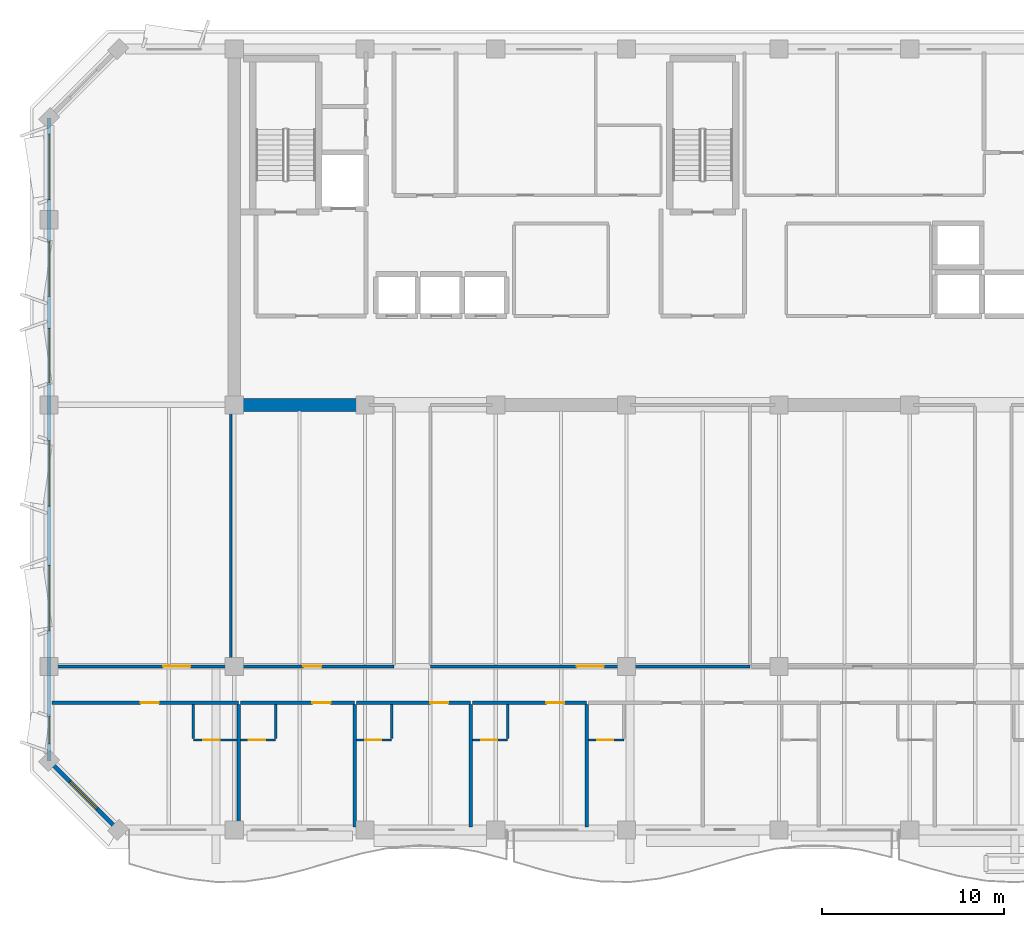
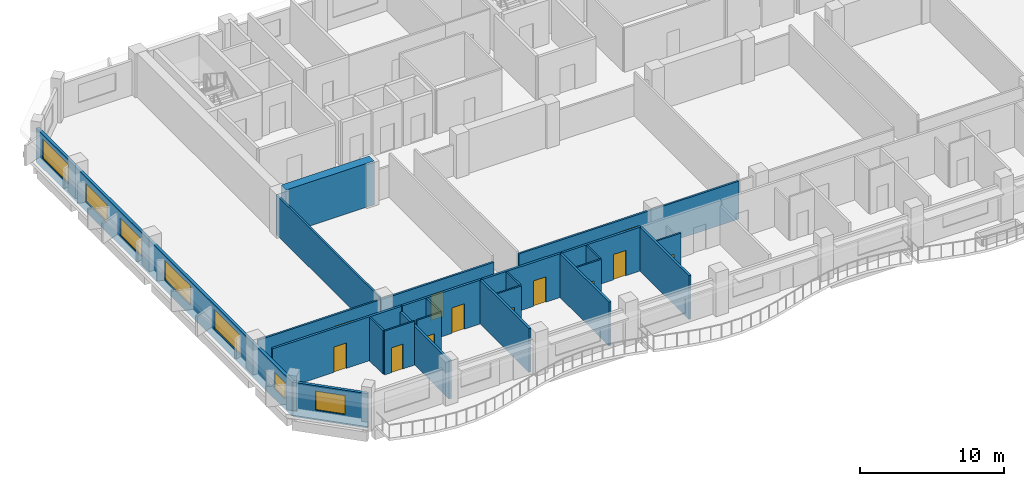
# One storey, part 3 of 11: 24 walls, 12 doors, 7 windows, 19 openings.
"""IFC4 building model written with IfcOpenShell, lengths in metres."""

from ifc_helpers import new_model, si_unit, direction, frame, frame_2d, origin, place, context, subcontext, project, spatial, rectangle, extrude, material, layer, layer_set, type_object, element, fill, save


model = new_model("IFC4")

# Units and contexts
model_context = context("Model", 3, precision=1e-05, world=origin(), true_north=direction((0.0, 1.0)))
body_context = subcontext(model_context, "Body", "Model", "MODEL_VIEW")
ifc_project = project(units=[si_unit("LENGTHUNIT", "METRE"), si_unit("AREAUNIT", "SQUARE_METRE"), si_unit("VOLUMEUNIT", "CUBIC_METRE"), si_unit("PLANEANGLEUNIT", "RADIAN"), si_unit("MASSUNIT", "GRAM", prefix="KILO")], contexts=[model_context])

# Site, building, storey
site_placement = place(None, origin())
site = spatial("IfcSite", under=ifc_project, at=site_placement, CompositionType="ELEMENT")
building_placement = place(site_placement, origin())
building = spatial("IfcBuilding", under=site, at=building_placement, Name="Kaelvorn Grand Hotel", CompositionType="ELEMENT")
storey_placement = place(building_placement, frame((0.0, 0.0, 233.10009765625)))
storey = spatial("IfcBuildingStorey", under=building, at=storey_placement, Name="L57", CompositionType="ELEMENT", Elevation=233.10009765625)

# Wall
ifc_material_1 = material(Name="Concrete C50/60", Category="concrete")
ifc_layer_1 = layer(ifc_material_1, 0.699951171875)
ifc_layer_set_1 = layer_set([ifc_layer_1], Name="Concrete C50/60")
wall_type_1 = type_object("IfcWallType", Name="WL-CORE-700-C50", PredefinedType="SHEAR", material=ifc_layer_set_1)
wall_1_placement = place(storey_placement, frame((16.554931640625, 29.39990234375, 0.0), z_axis=(0.0, 0.0, 1.0), x_axis=(1.0, 0.0, 0.0)))
element("IfcWall", 1, at=wall_1_placement, inside=storey, type_object=wall_type_1, Name="L57 Rear-Core Coupled Shear Pier S1", PredefinedType="SHEAR", context=body_context, shape_type="SweptSolid", body=[
    extrude(rectangle(XDim=7.045166015625, YDim=0.699951171875, at=frame_2d((3.5224609375, 0.0))), origin(), (0.0, 0.0, 1.0), 3.7099609375),
])

# Wall, openings, windows
ifc_material_2 = material(Name="Concrete C40/50", Category="concrete")
ifc_layer_2 = layer(ifc_material_2, 0.219970703125)
ifc_layer_set_2 = layer_set([ifc_layer_2], Name="Concrete C40/50")
wall_type_2 = type_object("IfcWallType", Name="WL-EXT-220-C40", PredefinedType="SOLIDWALL", material=ifc_layer_set_2)
wall_2_placement = place(storey_placement, frame((6.0, 45.199951171875, 0.0), z_axis=(0.0, 0.0, 1.0), x_axis=(0.0, -1.0, 0.0)))
wall_2 = element("IfcWall", 2, at=wall_2_placement, inside=storey, type_object=wall_type_2, Name="L57 Exterior Architectural Concrete Wall 07", PredefinedType="SOLIDWALL", context=body_context, shape_type="SweptSolid", body=[
    extrude(rectangle(XDim=35.39990234375, YDim=0.219970703125, at=frame_2d((17.699951171875, 0.0))), origin(), (0.0, 0.0, 1.0), 2.909912109375),
])
opening_1_placement = place(wall_2_placement, frame((32.965087890625, 0.0, 0.85009765625)))
opening_1 = element("IfcOpeningElement", 3, at=opening_1_placement, cuts=wall_2, Name="Opening W10", PredefinedType="OPENING", context=body_context, shape_type="SweptSolid", body=[
    extrude(rectangle(XDim=1.5, YDim=1.39990234375, at=frame_2d((0.75, 0.699951171875))), frame((0.0, 0.1201171875, 0.0), z_axis=(0.0, -1.0, 0.0), x_axis=(1.0, 0.0, 0.0)), (0.0, 0.0, 1.0), 0.239990234375),
])
opening_2_placement = place(wall_2_placement, frame((24.635009765625, 0.0, 0.85009765625)))
opening_2 = element("IfcOpeningElement", 4, at=opening_2_placement, cuts=wall_2, Name="Opening W3", PredefinedType="OPENING", context=body_context, shape_type="SweptSolid", body=[
    extrude(rectangle(XDim=3.60009765625, YDim=1.64990234375, at=frame_2d((1.800048828125, 0.824951171875))), frame((0.0, 0.1201171875, 0.0), z_axis=(0.0, -1.0, 0.0), x_axis=(1.0, 0.0, 0.0)), (0.0, 0.0, 1.0), 0.239990234375),
])
opening_3_placement = place(wall_2_placement, frame((17.764892578125, 0.0, 0.85009765625)))
opening_3 = element("IfcOpeningElement", 5, at=opening_3_placement, cuts=wall_2, Name="Opening W3", PredefinedType="OPENING", context=body_context, shape_type="SweptSolid", body=[
    extrude(rectangle(XDim=3.60009765625, YDim=1.64990234375, at=frame_2d((1.800048828125, 0.824951171875))), frame((0.0, 0.1201171875, 0.0), z_axis=(0.0, -1.0, 0.0), x_axis=(1.0, 0.0, 0.0)), (0.0, 0.0, 1.0), 0.239990234375),
])
opening_4_placement = place(wall_2_placement, frame((11.5849609375, 0.0, 0.85009765625)))
opening_4 = element("IfcOpeningElement", 6, at=opening_4_placement, cuts=wall_2, Name="Opening W5", PredefinedType="OPENING", context=body_context, shape_type="SweptSolid", body=[
    extrude(rectangle(XDim=3.0, YDim=1.5, at=frame_2d((1.5, 0.75))), frame((0.0, 0.1201171875, 0.0), z_axis=(0.0, -1.0, 0.0), x_axis=(1.0, 0.0, 0.0)), (0.0, 0.0, 1.0), 0.239990234375),
])
opening_5_placement = place(wall_2_placement, frame((6.81494140625, 0.0, 0.85009765625)))
opening_5 = element("IfcOpeningElement", 7, at=opening_5_placement, cuts=wall_2, Name="Opening W5", PredefinedType="OPENING", context=body_context, shape_type="SweptSolid", body=[
    extrude(rectangle(XDim=3.0, YDim=1.5, at=frame_2d((1.5, 0.75))), frame((0.0, 0.1201171875, 0.0), z_axis=(0.0, -1.0, 0.0), x_axis=(1.0, 0.0, 0.0)), (0.0, 0.0, 1.0), 0.239990234375),
])
opening_6_placement = place(wall_2_placement, frame((0.885009765625, 0.0, 0.85009765625)))
opening_6 = element("IfcOpeningElement", 8, at=opening_6_placement, cuts=wall_2, Name="Opening W3", PredefinedType="OPENING", context=body_context, shape_type="SweptSolid", body=[
    extrude(rectangle(XDim=3.60009765625, YDim=1.64990234375, at=frame_2d((1.800048828125, 0.824951171875))), frame((0.0, 0.1201171875, 0.0), z_axis=(0.0, -1.0, 0.0), x_axis=(1.0, 0.0, 0.0)), (0.0, 0.0, 1.0), 0.239990234375),
])
ifc_material_3 = material(Name="Laminated Low-E Glass", Category="glass")
window_type_1 = type_object("IfcWindowType", Name="WIN-COR-1500x1400", PartitioningType="SINGLE_PANEL", PredefinedType="WINDOW", material=ifc_material_3)
window_1_placement = place(opening_1_placement, origin())
window_1 = element("IfcWindow", 9, at=window_1_placement, inside=storey, type_object=window_type_1, Name="L57 W Wing Tilted-Frame Ribbon Window W01", OverallHeight=1.39990234375, OverallWidth=1.5, PartitioningType="SINGLE_PANEL", PredefinedType="WINDOW", context=body_context, shape_type="SweptSolid", body=[
    extrude(rectangle(XDim=1.5, YDim=1.39990234375, at=frame_2d((0.75, 0.699951171875))), frame((0.0, 0.030029296875, 0.0), z_axis=(0.0, -1.0, 0.0), x_axis=(1.0, 0.0, 0.0)), (0.0, 0.0, 1.0), 0.06005859375),
])
fill(opening_1, window_1)
window_type_2 = type_object("IfcWindowType", Name="WIN-NTH-3000x1500", PartitioningType="SINGLE_PANEL", PredefinedType="WINDOW", material=ifc_material_3)
window_2_placement = place(opening_4_placement, origin())
window_2 = element("IfcWindow", 10, at=window_2_placement, inside=storey, type_object=window_type_2, Name="L57 W Wing Tilted-Frame Ribbon Window W04", OverallHeight=1.5, OverallWidth=3.0, PartitioningType="SINGLE_PANEL", PredefinedType="WINDOW", context=body_context, shape_type="SweptSolid", body=[
    extrude(rectangle(XDim=3.0, YDim=1.5, at=frame_2d((1.5, 0.75))), frame((0.0, 0.030029296875, 0.0), z_axis=(0.0, -1.0, 0.0), x_axis=(1.0, 0.0, 0.0)), (0.0, 0.0, 1.0), 0.06005859375),
])
fill(opening_4, window_2)
window_3_placement = place(opening_5_placement, origin())
window_3 = element("IfcWindow", 11, at=window_3_placement, inside=storey, type_object=window_type_2, Name="L57 W Wing Tilted-Frame Ribbon Window W05", OverallHeight=1.5, OverallWidth=3.0, PartitioningType="SINGLE_PANEL", PredefinedType="WINDOW", context=body_context, shape_type="SweptSolid", body=[
    extrude(rectangle(XDim=3.0, YDim=1.5, at=frame_2d((1.5, 0.75))), frame((0.0, 0.030029296875, 0.0), z_axis=(0.0, -1.0, 0.0), x_axis=(1.0, 0.0, 0.0)), (0.0, 0.0, 1.0), 0.06005859375),
])
fill(opening_5, window_3)
window_type_3 = type_object("IfcWindowType", Name="WIN-RIB-3600x1750", PartitioningType="SINGLE_PANEL", PredefinedType="WINDOW", material=ifc_material_3)
window_4_placement = place(opening_2_placement, origin())
window_4 = element("IfcWindow", 12, at=window_4_placement, inside=storey, type_object=window_type_3, Name="L57 W Wing Tilted-Frame Ribbon Window W02", OverallHeight=1.64990234375, OverallWidth=3.60009765625, PartitioningType="SINGLE_PANEL", PredefinedType="WINDOW", context=body_context, shape_type="SweptSolid", body=[
    extrude(rectangle(XDim=3.60009765625, YDim=1.64990234375, at=frame_2d((1.800048828125, 0.824951171875))), frame((0.0, 0.030029296875, 0.0), z_axis=(0.0, -1.0, 0.0), x_axis=(1.0, 0.0, 0.0)), (0.0, 0.0, 1.0), 0.06005859375),
])
fill(opening_2, window_4)
window_5_placement = place(opening_3_placement, origin())
window_5 = element("IfcWindow", 13, at=window_5_placement, inside=storey, type_object=window_type_3, Name="L57 W Wing Tilted-Frame Ribbon Window W03", OverallHeight=1.64990234375, OverallWidth=3.60009765625, PartitioningType="SINGLE_PANEL", PredefinedType="WINDOW", context=body_context, shape_type="SweptSolid", body=[
    extrude(rectangle(XDim=3.60009765625, YDim=1.64990234375, at=frame_2d((1.800048828125, 0.824951171875))), frame((0.0, 0.030029296875, 0.0), z_axis=(0.0, -1.0, 0.0), x_axis=(1.0, 0.0, 0.0)), (0.0, 0.0, 1.0), 0.06005859375),
])
fill(opening_3, window_5)
window_6_placement = place(opening_6_placement, origin())
window_6 = element("IfcWindow", 14, at=window_6_placement, inside=storey, type_object=window_type_3, Name="L57 W Wing Tilted-Frame Ribbon Window W06", OverallHeight=1.64990234375, OverallWidth=3.60009765625, PartitioningType="SINGLE_PANEL", PredefinedType="WINDOW", context=body_context, shape_type="SweptSolid", body=[
    extrude(rectangle(XDim=3.60009765625, YDim=1.64990234375, at=frame_2d((1.800048828125, 0.824951171875))), frame((0.0, 0.030029296875, 0.0), z_axis=(0.0, -1.0, 0.0), x_axis=(1.0, 0.0, 0.0)), (0.0, 0.0, 1.0), 0.06005859375),
])
fill(opening_6, window_6)

# Wall, opening, window
wall_3_placement = place(storey_placement, frame((6.0, 9.800048828125, 0.0), z_axis=(0.0, 0.0, 1.0), x_axis=(0.707106781187, -0.707106781187, 0.0)))
wall_3 = element("IfcWall", 15, at=wall_3_placement, inside=storey, type_object=wall_type_2, Name="L57 Exterior Architectural Concrete Wall 08", PredefinedType="SOLIDWALL", context=body_context, shape_type="SweptSolid", body=[
    extrude(rectangle(XDim=5.3740234375, YDim=0.219970703125, at=frame_2d((2.68701171875, 0.0))), origin(), (0.0, 0.0, 1.0), 2.909912109375),
])
opening_7_placement = place(wall_3_placement, frame((1.636962890625, 0.0, 0.85009765625)))
opening_7 = element("IfcOpeningElement", 16, at=opening_7_placement, cuts=wall_3, Name="Opening W7", PredefinedType="OPENING", context=body_context, shape_type="SweptSolid", body=[
    extrude(rectangle(XDim=2.10009765625, YDim=1.60009765625, at=frame_2d((1.050048828125, 0.800048828125))), frame((0.0, 0.1201171875, 0.0), z_axis=(0.0, -1.0, 0.0), x_axis=(1.0, 0.0, 0.0)), (0.0, 0.0, 1.0), 0.239990234375),
])
window_type_4 = type_object("IfcWindowType", Name="WIN-CHM-2100x1600", PartitioningType="SINGLE_PANEL", PredefinedType="WINDOW", material=ifc_material_3)
window_7_placement = place(opening_7_placement, origin())
window_7 = element("IfcWindow", 17, at=window_7_placement, inside=storey, type_object=window_type_4, Name="L57 Chamfered 45-Degree Corner Window SW", OverallHeight=1.60009765625, OverallWidth=2.10009765625, PartitioningType="SINGLE_PANEL", PredefinedType="WINDOW", context=body_context, shape_type="SweptSolid", body=[
    extrude(rectangle(XDim=2.10009765625, YDim=1.60009765625, at=frame_2d((1.050048828125, 0.800048828125))), frame((0.0, 0.030029296875, 0.0), z_axis=(0.0, -1.0, 0.0), x_axis=(1.0, 0.0, 0.0)), (0.0, 0.0, 1.0), 0.06005859375),
])
fill(opening_7, window_7)

# Wall, opening, door
ifc_material_4 = material(Name="Moisture-Resistant Tile & Stud Board")
ifc_layer_3 = layer(ifc_material_4, 0.125)
ifc_layer_set_3 = layer_set([ifc_layer_3], Name="Moisture-Resistant Tile & Stud Board")
wall_type_3 = type_object("IfcWallType", Name="WL-PART-125-WET", PredefinedType="PARTITIONING", material=ifc_layer_set_3)
wall_4_placement = place(storey_placement, frame((13.93994140625, 10.949951171875, 0.0), z_axis=(0.0, 0.0, 1.0), x_axis=(1.0, 0.0, 0.0)))
wall_4 = element("IfcWall", 18, at=wall_4_placement, inside=storey, type_object=wall_type_3, Name="L57 En-suite Bathroom L57-01 S Partition", PredefinedType="PARTITIONING", context=body_context, shape_type="SweptSolid", body=[
    extrude(rectangle(XDim=2.405029296875, YDim=0.125, at=frame_2d((1.20263671875, 0.0))), origin(), (0.0, 0.0, 1.0), 3.7099609375),
])
opening_8_placement = place(wall_4_placement, frame((0.550048828125, 0.0, 0.0)))
opening_8 = element("IfcOpeningElement", 19, at=opening_8_placement, cuts=wall_4, Name="Opening DI4", PredefinedType="OPENING", context=body_context, shape_type="SweptSolid", body=[
    extrude(rectangle(XDim=0.89990234375, YDim=2.10009765625, at=frame_2d((0.449951171875, 1.050048828125))), frame((0.0, 0.072509765625, 0.0), z_axis=(0.0, -1.0, 0.0), x_axis=(1.0, 0.0, 0.0)), (0.0, 0.0, 1.0), 0.14501953125),
])
ifc_material_5 = material(Name="Timber Veneer Leaf", Category="wood")
door_type_1 = type_object("IfcDoorType", Name="DR-INT-BATH-900x2100", OperationType="NOTDEFINED", PredefinedType="DOOR", material=ifc_material_5)
door_1_placement = place(opening_8_placement, origin())
door_1 = element("IfcDoor", 20, at=door_1_placement, inside=storey, type_object=door_type_1, Name="L57 En-suite Bathroom L57-01 Door", OperationType="SINGLE_SWING_RIGHT", OverallHeight=2.10009765625, OverallWidth=0.89990234375, PredefinedType="DOOR", context=body_context, shape_type="SweptSolid", body=[
    extrude(rectangle(XDim=0.89990234375, YDim=2.10009765625, at=frame_2d((0.449951171875, 1.050048828125))), frame((0.0, 0.02490234375, 0.0), z_axis=(0.0, -1.0, 0.0), x_axis=(1.0, 0.0, 0.0)), (0.0, 0.0, 1.0), 0.050048828125),
])
fill(opening_8, door_1)

# Wall
wall_5_placement = place(storey_placement, frame((13.93994140625, 11.017578125, 0.0), z_axis=(0.0, 0.0, 1.0), x_axis=(0.0, 1.0, 0.0)))
element("IfcWall", 21, at=wall_5_placement, inside=storey, type_object=wall_type_3, Name="L57 En-suite Bathroom L57-01 W Partition", PredefinedType="PARTITIONING", context=body_context, shape_type="SweptSolid", body=[
    extrude(rectangle(XDim=1.887451171875, YDim=0.125, at=frame_2d((0.94384765625, 0.0))), origin(), (0.0, 0.0, 1.0), 3.7099609375),
])

# Wall, opening, door
wall_6_placement = place(storey_placement, frame((16.534912109375, 10.949951171875, 0.0), z_axis=(0.0, 0.0, 1.0), x_axis=(1.0, 0.0, 0.0)))
wall_6 = element("IfcWall", 22, at=wall_6_placement, inside=storey, type_object=wall_type_3, Name="L57 En-suite Bathroom L57-02 S Partition", PredefinedType="PARTITIONING", context=body_context, shape_type="SweptSolid", body=[
    extrude(rectangle(XDim=1.945068359375, YDim=0.125, at=frame_2d((0.97265625, 0.0))), origin(), (0.0, 0.0, 1.0), 3.7099609375),
])
opening_9_placement = place(wall_6_placement, frame((0.47509765625, 0.0, 0.0)))
opening_9 = element("IfcOpeningElement", 23, at=opening_9_placement, cuts=wall_6, Name="Opening DI4", PredefinedType="OPENING", context=body_context, shape_type="SweptSolid", body=[
    extrude(rectangle(XDim=0.89990234375, YDim=2.10009765625, at=frame_2d((0.449951171875, 1.050048828125))), frame((0.0, 0.072509765625, 0.0), z_axis=(0.0, -1.0, 0.0), x_axis=(1.0, 0.0, 0.0)), (0.0, 0.0, 1.0), 0.14501953125),
])
door_2_placement = place(opening_9_placement, origin())
door_2 = element("IfcDoor", 24, at=door_2_placement, inside=storey, type_object=door_type_1, Name="L57 En-suite Bathroom L57-02 Door", OperationType="SINGLE_SWING_RIGHT", OverallHeight=2.10009765625, OverallWidth=0.89990234375, PredefinedType="DOOR", context=body_context, shape_type="SweptSolid", body=[
    extrude(rectangle(XDim=0.89990234375, YDim=2.10009765625, at=frame_2d((0.449951171875, 1.050048828125))), frame((0.0, 0.02490234375, 0.0), z_axis=(0.0, -1.0, 0.0), x_axis=(1.0, 0.0, 0.0)), (0.0, 0.0, 1.0), 0.050048828125),
])
fill(opening_9, door_2)

# Wall
wall_7_placement = place(storey_placement, frame((18.47998046875, 11.017578125, 0.0), z_axis=(0.0, 0.0, 1.0), x_axis=(0.0, 1.0, 0.0)))
element("IfcWall", 25, at=wall_7_placement, inside=storey, type_object=wall_type_3, Name="L57 En-suite Bathroom L57-02 E Partition", PredefinedType="PARTITIONING", context=body_context, shape_type="SweptSolid", body=[
    extrude(rectangle(XDim=1.887451171875, YDim=0.125, at=frame_2d((0.94384765625, 0.0))), origin(), (0.0, 0.0, 1.0), 3.7099609375),
])

# Wall, opening, door
wall_8_placement = place(storey_placement, frame((22.925048828125, 10.949951171875, 0.0), z_axis=(0.0, 0.0, 1.0), x_axis=(1.0, 0.0, 0.0)))
wall_8 = element("IfcWall", 26, at=wall_8_placement, inside=storey, type_object=wall_type_3, Name="L57 En-suite Bathroom L57-03 S Partition", PredefinedType="PARTITIONING", context=body_context, shape_type="SweptSolid", body=[
    extrude(rectangle(XDim=1.945068359375, YDim=0.125, at=frame_2d((0.97265625, 0.0))), origin(), (0.0, 0.0, 1.0), 3.7099609375),
])
opening_10_placement = place(wall_8_placement, frame((0.47509765625, 0.0, 0.0)))
opening_10 = element("IfcOpeningElement", 27, at=opening_10_placement, cuts=wall_8, Name="Opening DI4", PredefinedType="OPENING", context=body_context, shape_type="SweptSolid", body=[
    extrude(rectangle(XDim=0.89990234375, YDim=2.10009765625, at=frame_2d((0.449951171875, 1.050048828125))), frame((0.0, 0.072509765625, 0.0), z_axis=(0.0, -1.0, 0.0), x_axis=(1.0, 0.0, 0.0)), (0.0, 0.0, 1.0), 0.14501953125),
])
door_3_placement = place(opening_10_placement, origin())
door_3 = element("IfcDoor", 28, at=door_3_placement, inside=storey, type_object=door_type_1, Name="L57 En-suite Bathroom L57-03 Door", OperationType="SINGLE_SWING_RIGHT", OverallHeight=2.10009765625, OverallWidth=0.89990234375, PredefinedType="DOOR", context=body_context, shape_type="SweptSolid", body=[
    extrude(rectangle(XDim=0.89990234375, YDim=2.10009765625, at=frame_2d((0.449951171875, 1.050048828125))), frame((0.0, 0.02490234375, 0.0), z_axis=(0.0, -1.0, 0.0), x_axis=(1.0, 0.0, 0.0)), (0.0, 0.0, 1.0), 0.050048828125),
])
fill(opening_10, door_3)

# Wall
wall_9_placement = place(storey_placement, frame((24.8701171875, 11.017578125, 0.0), z_axis=(0.0, 0.0, 1.0), x_axis=(0.0, 1.0, 0.0)))
element("IfcWall", 29, at=wall_9_placement, inside=storey, type_object=wall_type_3, Name="L57 En-suite Bathroom L57-03 E Partition", PredefinedType="PARTITIONING", context=body_context, shape_type="SweptSolid", body=[
    extrude(rectangle(XDim=1.887451171875, YDim=0.125, at=frame_2d((0.94384765625, 0.0))), origin(), (0.0, 0.0, 1.0), 3.7099609375),
])

# Wall, opening, door
wall_10_placement = place(storey_placement, frame((29.31494140625, 10.949951171875, 0.0), z_axis=(0.0, 0.0, 1.0), x_axis=(1.0, 0.0, 0.0)))
wall_10 = element("IfcWall", 30, at=wall_10_placement, inside=storey, type_object=wall_type_3, Name="L57 En-suite Bathroom L57-04 S Partition", PredefinedType="PARTITIONING", context=body_context, shape_type="SweptSolid", body=[
    extrude(rectangle(XDim=1.945068359375, YDim=0.125, at=frame_2d((0.97265625, 0.0))), origin(), (0.0, 0.0, 1.0), 3.7099609375),
])
opening_11_placement = place(wall_10_placement, frame((0.47509765625, 0.0, 0.0)))
opening_11 = element("IfcOpeningElement", 31, at=opening_11_placement, cuts=wall_10, Name="Opening DI4", PredefinedType="OPENING", context=body_context, shape_type="SweptSolid", body=[
    extrude(rectangle(XDim=0.89990234375, YDim=2.10009765625, at=frame_2d((0.449951171875, 1.050048828125))), frame((0.0, 0.072509765625, 0.0), z_axis=(0.0, -1.0, 0.0), x_axis=(1.0, 0.0, 0.0)), (0.0, 0.0, 1.0), 0.14501953125),
])
door_4_placement = place(opening_11_placement, origin())
door_4 = element("IfcDoor", 32, at=door_4_placement, inside=storey, type_object=door_type_1, Name="L57 En-suite Bathroom L57-04 Door", OperationType="SINGLE_SWING_RIGHT", OverallHeight=2.10009765625, OverallWidth=0.89990234375, PredefinedType="DOOR", context=body_context, shape_type="SweptSolid", body=[
    extrude(rectangle(XDim=0.89990234375, YDim=2.10009765625, at=frame_2d((0.449951171875, 1.050048828125))), frame((0.0, 0.02490234375, 0.0), z_axis=(0.0, -1.0, 0.0), x_axis=(1.0, 0.0, 0.0)), (0.0, 0.0, 1.0), 0.050048828125),
])
fill(opening_11, door_4)

# Wall
wall_11_placement = place(storey_placement, frame((31.260009765625, 11.017578125, 0.0), z_axis=(0.0, 0.0, 1.0), x_axis=(0.0, 1.0, 0.0)))
element("IfcWall", 33, at=wall_11_placement, inside=storey, type_object=wall_type_3, Name="L57 En-suite Bathroom L57-04 E Partition", PredefinedType="PARTITIONING", context=body_context, shape_type="SweptSolid", body=[
    extrude(rectangle(XDim=1.887451171875, YDim=0.125, at=frame_2d((0.94384765625, 0.0))), origin(), (0.0, 0.0, 1.0), 3.7099609375),
])

# Wall, opening, door
wall_12_placement = place(storey_placement, frame((35.705078125, 10.949951171875, 0.0), z_axis=(0.0, 0.0, 1.0), x_axis=(1.0, 0.0, 0.0)))
wall_12 = element("IfcWall", 34, at=wall_12_placement, inside=storey, type_object=wall_type_3, Name="L57 En-suite Bathroom L57-05 S Partition", PredefinedType="PARTITIONING", context=body_context, shape_type="SweptSolid", body=[
    extrude(rectangle(XDim=1.94482421875, YDim=0.125, at=frame_2d((0.972412109375, 0.0))), origin(), (0.0, 0.0, 1.0), 3.7099609375),
])
opening_12_placement = place(wall_12_placement, frame((0.47509765625, 0.0, 0.0)))
opening_12 = element("IfcOpeningElement", 35, at=opening_12_placement, cuts=wall_12, Name="Opening DI4", PredefinedType="OPENING", context=body_context, shape_type="SweptSolid", body=[
    extrude(rectangle(XDim=0.89990234375, YDim=2.10009765625, at=frame_2d((0.449951171875, 1.050048828125))), frame((0.0, 0.072509765625, 0.0), z_axis=(0.0, -1.0, 0.0), x_axis=(1.0, 0.0, 0.0)), (0.0, 0.0, 1.0), 0.14501953125),
])
door_5_placement = place(opening_12_placement, origin())
door_5 = element("IfcDoor", 36, at=door_5_placement, inside=storey, type_object=door_type_1, Name="L57 En-suite Bathroom L57-05 Door", OperationType="SINGLE_SWING_RIGHT", OverallHeight=2.10009765625, OverallWidth=0.89990234375, PredefinedType="DOOR", context=body_context, shape_type="SweptSolid", body=[
    extrude(rectangle(XDim=0.89990234375, YDim=2.10009765625, at=frame_2d((0.449951171875, 1.050048828125))), frame((0.0, 0.02490234375, 0.0), z_axis=(0.0, -1.0, 0.0), x_axis=(1.0, 0.0, 0.0)), (0.0, 0.0, 1.0), 0.050048828125),
])
fill(opening_12, door_5)

ifc_material_6 = material(Name="Acoustic Gypsum & Stud Partition")
ifc_layer_4 = layer(ifc_material_6, 0.14990234375)
ifc_layer_set_4 = layer_set([ifc_layer_4], Name="Acoustic Gypsum & Stud Partition")
wall_type_4 = type_object("IfcWallType", Name="WL-PART-150-EI60", PredefinedType="PARTITIONING", material=ifc_layer_set_4)
wall_13_placement = place(storey_placement, frame((16.0, 15.0, 0.0), z_axis=(0.0, 0.0, 1.0), x_axis=(1.0, 0.0, 0.0)))
wall_13 = element("IfcWall", 37, at=wall_13_placement, inside=storey, type_object=wall_type_4, Name="L57 Executive Meeting Boardroom S Partition", PredefinedType="PARTITIONING", context=body_context, shape_type="SweptSolid", body=[
    extrude(rectangle(XDim=9.0, YDim=0.14990234375, at=frame_2d((4.5, 0.0))), origin(), (0.0, 0.0, 1.0), 3.2099609375),
])
opening_13_placement = place(wall_13_placement, frame((4.0, 0.0, 0.0)))
opening_13 = element("IfcOpeningElement", 38, at=opening_13_placement, cuts=wall_13, Name="Opening DI3", PredefinedType="OPENING", context=body_context, shape_type="SweptSolid", body=[
    extrude(rectangle(XDim=1.0, YDim=2.14990234375, at=frame_2d((0.5, 1.074951171875))), frame((0.0, 0.0849609375, 0.0), z_axis=(0.0, -1.0, 0.0), x_axis=(1.0, 0.0, 0.0)), (0.0, 0.0, 1.0), 0.169921875),
])
ifc_material_7 = material(Name="Timber Veneer Fire Leaf", Category="wood")
door_type_2 = type_object("IfcDoorType", Name="DR-INT-GUEST-1000x2150", OperationType="NOTDEFINED", PredefinedType="DOOR", material=ifc_material_7)
door_6_placement = place(opening_13_placement, origin())
door_6 = element("IfcDoor", 39, at=door_6_placement, inside=storey, type_object=door_type_2, Name="L57 Executive Meeting Boardroom Door", OperationType="SINGLE_SWING_LEFT", OverallHeight=2.14990234375, OverallWidth=1.0, PredefinedType="DOOR", context=body_context, shape_type="SweptSolid", body=[
    extrude(rectangle(XDim=1.0, YDim=2.14990234375, at=frame_2d((0.5, 1.074951171875))), frame((0.0, 0.02490234375, 0.0), z_axis=(0.0, -1.0, 0.0), x_axis=(1.0, 0.0, 0.0)), (0.0, 0.0, 1.0), 0.050048828125),
])
fill(opening_13, door_6)

# Wall
wall_14_placement = place(storey_placement, frame((16.0, 15.080078125, 0.0), z_axis=(0.0, 0.0, 1.0), x_axis=(0.0, 1.0, 0.0)))
element("IfcWall", 40, at=wall_14_placement, inside=storey, type_object=wall_type_4, Name="L57 Executive Meeting Boardroom W Partition", PredefinedType="PARTITIONING", context=body_context, shape_type="SweptSolid", body=[
    extrude(rectangle(XDim=14.309814453125, YDim=0.14990234375, at=frame_2d((7.15478515625, 0.0))), origin(), (0.0, 0.0, 1.0), 3.349853515625),
])

# Wall, opening, door
wall_15_placement = place(storey_placement, frame((27.0, 15.0, 0.0), z_axis=(0.0, 0.0, 1.0), x_axis=(1.0, 0.0, 0.0)))
wall_15 = element("IfcWall", 41, at=wall_15_placement, inside=storey, type_object=wall_type_4, Name="L57 Guest Butler Kitchen S Partition", PredefinedType="PARTITIONING", context=body_context, shape_type="SweptSolid", body=[
    extrude(rectangle(XDim=17.60009765625, YDim=0.14990234375, at=frame_2d((8.800048828125, 0.0))), origin(), (0.0, 0.0, 1.0), 3.2099609375),
])
opening_14_placement = place(wall_15_placement, frame((8.050048828125, 0.0, 0.0)))
opening_14 = element("IfcOpeningElement", 42, at=opening_14_placement, cuts=wall_15, Name="Opening DI5", PredefinedType="OPENING", context=body_context, shape_type="SweptSolid", body=[
    extrude(rectangle(XDim=1.5, YDim=2.25, at=frame_2d((0.75, 1.125))), frame((0.0, 0.0849609375, 0.0), z_axis=(0.0, -1.0, 0.0), x_axis=(1.0, 0.0, 0.0)), (0.0, 0.0, 1.0), 0.169921875),
])
door_type_3 = type_object("IfcDoorType", Name="DR-INT-SALON-1500x2250", OperationType="DOUBLE_DOOR_SINGLE_SWING", PredefinedType="DOOR", material=ifc_material_7)
door_7_placement = place(opening_14_placement, origin())
door_7 = element("IfcDoor", 43, at=door_7_placement, inside=storey, type_object=door_type_3, Name="L57 Guest Butler Kitchen Door", OperationType="DOUBLE_DOOR_SINGLE_SWING", OverallHeight=2.25, OverallWidth=1.5, PredefinedType="DOOR", context=body_context, shape_type="SweptSolid", body=[
    extrude(rectangle(XDim=1.5, YDim=2.25, at=frame_2d((0.75, 1.125))), frame((0.0, 0.02490234375, 0.0), z_axis=(0.0, -1.0, 0.0), x_axis=(1.0, 0.0, 0.0)), (0.0, 0.0, 1.0), 0.050048828125),
])
fill(opening_14, door_7)

wall_16_placement = place(storey_placement, frame((6.14990234375, 15.0, 0.0), z_axis=(0.0, 0.0, 1.0), x_axis=(1.0, 0.0, 0.0)))
wall_16 = element("IfcWall", 44, at=wall_16_placement, inside=storey, type_object=wall_type_4, Name="L57 West Sky Business Secretariat Office S Partition", PredefinedType="PARTITIONING", context=body_context, shape_type="SweptSolid", body=[
    extrude(rectangle(XDim=9.77001953125, YDim=0.14990234375, at=frame_2d((4.885009765625, 0.0))), origin(), (0.0, 0.0, 1.0), 3.2099609375),
])
opening_15_placement = place(wall_16_placement, frame((6.1298828125, 0.0, 0.0)))
opening_15 = element("IfcOpeningElement", 45, at=opening_15_placement, cuts=wall_16, Name="Opening DI5", PredefinedType="OPENING", context=body_context, shape_type="SweptSolid", body=[
    extrude(rectangle(XDim=1.5, YDim=2.25, at=frame_2d((0.75, 1.125))), frame((0.0, 0.0849609375, 0.0), z_axis=(0.0, -1.0, 0.0), x_axis=(1.0, 0.0, 0.0)), (0.0, 0.0, 1.0), 0.169921875),
])
door_8_placement = place(opening_15_placement, origin())
door_8 = element("IfcDoor", 46, at=door_8_placement, inside=storey, type_object=door_type_3, Name="L57 West Sky Business Secretariat Office Door", OperationType="DOUBLE_DOOR_SINGLE_SWING", OverallHeight=2.25, OverallWidth=1.5, PredefinedType="DOOR", context=body_context, shape_type="SweptSolid", body=[
    extrude(rectangle(XDim=1.5, YDim=2.25, at=frame_2d((0.75, 1.125))), frame((0.0, 0.02490234375, 0.0), z_axis=(0.0, -1.0, 0.0), x_axis=(1.0, 0.0, 0.0)), (0.0, 0.0, 1.0), 0.050048828125),
])
fill(opening_15, door_8)

ifc_layer_5 = layer(ifc_material_6, 0.179931640625)
ifc_layer_set_5 = layer_set([ifc_layer_5], Name="Acoustic Gypsum & Stud Partition")
wall_type_5 = type_object("IfcWallType", Name="WL-PART-180-EI60", PredefinedType="PARTITIONING", material=ifc_layer_set_5)
wall_17_placement = place(storey_placement, frame((6.14990234375, 13.0, 0.0), z_axis=(0.0, 0.0, 1.0), x_axis=(1.0, 0.0, 0.0)))
wall_17 = element("IfcWall", 47, at=wall_17_placement, inside=storey, type_object=wall_type_5, Name="L57 Ambassador Guest Room L57-01 N Partition", PredefinedType="PARTITIONING", context=body_context, shape_type="SweptSolid", body=[
    extrude(rectangle(XDim=10.2900390625, YDim=0.179931640625, at=frame_2d((5.14501953125, 0.0))), origin(), (0.0, 0.0, 1.0), 3.7099609375),
])
opening_16_placement = place(wall_17_placement, frame((4.89501953125, 0.0, 0.0)))
opening_16 = element("IfcOpeningElement", 48, at=opening_16_placement, cuts=wall_17, Name="Opening DI3", PredefinedType="OPENING", context=body_context, shape_type="SweptSolid", body=[
    extrude(rectangle(XDim=1.0, YDim=2.14990234375, at=frame_2d((0.5, 1.074951171875))), frame((0.0, 0.10009765625, 0.0), z_axis=(0.0, -1.0, 0.0), x_axis=(1.0, 0.0, 0.0)), (0.0, 0.0, 1.0), 0.199951171875),
])
door_9_placement = place(opening_16_placement, origin())
door_9 = element("IfcDoor", 49, at=door_9_placement, inside=storey, type_object=door_type_2, Name="L57 Ambassador Guest Room L57-01 Door", OperationType="SINGLE_SWING_LEFT", OverallHeight=2.14990234375, OverallWidth=1.0, PredefinedType="DOOR", context=body_context, shape_type="SweptSolid", body=[
    extrude(rectangle(XDim=1.0, YDim=2.14990234375, at=frame_2d((0.5, 1.074951171875))), frame((0.0, 0.02490234375, 0.0), z_axis=(0.0, -1.0, 0.0), x_axis=(1.0, 0.0, 0.0)), (0.0, 0.0, 1.0), 0.050048828125),
])
fill(opening_16, door_9)

# Wall
wall_18_placement = place(storey_placement, frame((16.43994140625, 6.14990234375, 0.0), z_axis=(0.0, 0.0, 1.0), x_axis=(0.0, 1.0, 0.0)))
element("IfcWall", 50, at=wall_18_placement, inside=storey, type_object=wall_type_5, Name="L57 Ambassador Guest Room L57-01 E Partition", PredefinedType="PARTITIONING", context=body_context, shape_type="SweptSolid", body=[
    extrude(rectangle(XDim=6.755126953125, YDim=0.179931640625, at=frame_2d((3.37744140625, 0.0))), origin(), (0.0, 0.0, 1.0), 3.260009765625),
])

# Wall, opening, door
wall_19_placement = place(storey_placement, frame((16.534912109375, 13.0, 0.0), z_axis=(0.0, 0.0, 1.0), x_axis=(1.0, 0.0, 0.0)))
wall_19 = element("IfcWall", 51, at=wall_19_placement, inside=storey, type_object=wall_type_5, Name="L57 Ambassador Guest Room L57-02 N Partition", PredefinedType="PARTITIONING", context=body_context, shape_type="SweptSolid", body=[
    extrude(rectangle(XDim=6.295166015625, YDim=0.179931640625, at=frame_2d((3.1474609375, 0.0))), origin(), (0.0, 0.0, 1.0), 3.7099609375),
])
opening_17_placement = place(wall_19_placement, frame((3.965087890625, 0.0, 0.0)))
opening_17 = element("IfcOpeningElement", 52, at=opening_17_placement, cuts=wall_19, Name="Opening DI3", PredefinedType="OPENING", context=body_context, shape_type="SweptSolid", body=[
    extrude(rectangle(XDim=1.0, YDim=2.14990234375, at=frame_2d((0.5, 1.074951171875))), frame((0.0, 0.10009765625, 0.0), z_axis=(0.0, -1.0, 0.0), x_axis=(1.0, 0.0, 0.0)), (0.0, 0.0, 1.0), 0.199951171875),
])
door_10_placement = place(opening_17_placement, origin())
door_10 = element("IfcDoor", 53, at=door_10_placement, inside=storey, type_object=door_type_2, Name="L57 Ambassador Guest Room L57-02 Door", OperationType="SINGLE_SWING_LEFT", OverallHeight=2.14990234375, OverallWidth=1.0, PredefinedType="DOOR", context=body_context, shape_type="SweptSolid", body=[
    extrude(rectangle(XDim=1.0, YDim=2.14990234375, at=frame_2d((0.5, 1.074951171875))), frame((0.0, 0.02490234375, 0.0), z_axis=(0.0, -1.0, 0.0), x_axis=(1.0, 0.0, 0.0)), (0.0, 0.0, 1.0), 0.050048828125),
])
fill(opening_17, door_10)

# Wall
wall_20_placement = place(storey_placement, frame((22.830078125, 6.14990234375, 0.0), z_axis=(0.0, 0.0, 1.0), x_axis=(0.0, 1.0, 0.0)))
element("IfcWall", 54, at=wall_20_placement, inside=storey, type_object=wall_type_5, Name="L57 Ambassador Guest Room L57-02 E Partition", PredefinedType="PARTITIONING", context=body_context, shape_type="SweptSolid", body=[
    extrude(rectangle(XDim=6.755126953125, YDim=0.179931640625, at=frame_2d((3.37744140625, 0.0))), origin(), (0.0, 0.0, 1.0), 3.7099609375),
])

# Wall, opening, door
wall_21_placement = place(storey_placement, frame((22.925048828125, 13.0, 0.0), z_axis=(0.0, 0.0, 1.0), x_axis=(1.0, 0.0, 0.0)))
wall_21 = element("IfcWall", 55, at=wall_21_placement, inside=storey, type_object=wall_type_5, Name="L57 Ambassador Guest Room L57-03 N Partition", PredefinedType="PARTITIONING", context=body_context, shape_type="SweptSolid", body=[
    extrude(rectangle(XDim=6.294921875, YDim=0.179931640625, at=frame_2d((3.1474609375, 0.0))), origin(), (0.0, 0.0, 1.0), 3.7099609375),
])
opening_18_placement = place(wall_21_placement, frame((4.070068359375, 0.0, 0.0)))
opening_18 = element("IfcOpeningElement", 56, at=opening_18_placement, cuts=wall_21, Name="Opening DI3", PredefinedType="OPENING", context=body_context, shape_type="SweptSolid", body=[
    extrude(rectangle(XDim=1.0, YDim=2.14990234375, at=frame_2d((0.5, 1.074951171875))), frame((0.0, 0.10009765625, 0.0), z_axis=(0.0, -1.0, 0.0), x_axis=(1.0, 0.0, 0.0)), (0.0, 0.0, 1.0), 0.199951171875),
])
door_11_placement = place(opening_18_placement, origin())
door_11 = element("IfcDoor", 57, at=door_11_placement, inside=storey, type_object=door_type_2, Name="L57 Ambassador Guest Room L57-03 Door", OperationType="SINGLE_SWING_LEFT", OverallHeight=2.14990234375, OverallWidth=1.0, PredefinedType="DOOR", context=body_context, shape_type="SweptSolid", body=[
    extrude(rectangle(XDim=1.0, YDim=2.14990234375, at=frame_2d((0.5, 1.074951171875))), frame((0.0, 0.02490234375, 0.0), z_axis=(0.0, -1.0, 0.0), x_axis=(1.0, 0.0, 0.0)), (0.0, 0.0, 1.0), 0.050048828125),
])
fill(opening_18, door_11)

# Wall
wall_22_placement = place(storey_placement, frame((29.219970703125, 6.14990234375, 0.0), z_axis=(0.0, 0.0, 1.0), x_axis=(0.0, 1.0, 0.0)))
element("IfcWall", 58, at=wall_22_placement, inside=storey, type_object=wall_type_5, Name="L57 Ambassador Guest Room L57-03 E Partition", PredefinedType="PARTITIONING", context=body_context, shape_type="SweptSolid", body=[
    extrude(rectangle(XDim=6.755126953125, YDim=0.179931640625, at=frame_2d((3.37744140625, 0.0))), origin(), (0.0, 0.0, 1.0), 3.7099609375),
])

# Wall, opening, door
wall_23_placement = place(storey_placement, frame((29.31494140625, 13.0, 0.0), z_axis=(0.0, 0.0, 1.0), x_axis=(1.0, 0.0, 0.0)))
wall_23 = element("IfcWall", 59, at=wall_23_placement, inside=storey, type_object=wall_type_5, Name="L57 Ambassador Guest Room L57-04 N Partition", PredefinedType="PARTITIONING", context=body_context, shape_type="SweptSolid", body=[
    extrude(rectangle(XDim=6.295166015625, YDim=0.179931640625, at=frame_2d((3.1474609375, 0.0))), origin(), (0.0, 0.0, 1.0), 3.7099609375),
])
opening_19_placement = place(wall_23_placement, frame((4.070068359375, 0.0, 0.0)))
opening_19 = element("IfcOpeningElement", 60, at=opening_19_placement, cuts=wall_23, Name="Opening DI3", PredefinedType="OPENING", context=body_context, shape_type="SweptSolid", body=[
    extrude(rectangle(XDim=1.0, YDim=2.14990234375, at=frame_2d((0.5, 1.074951171875))), frame((0.0, 0.10009765625, 0.0), z_axis=(0.0, -1.0, 0.0), x_axis=(1.0, 0.0, 0.0)), (0.0, 0.0, 1.0), 0.199951171875),
])
door_12_placement = place(opening_19_placement, origin())
door_12 = element("IfcDoor", 61, at=door_12_placement, inside=storey, type_object=door_type_2, Name="L57 Ambassador Guest Room L57-04 Door", OperationType="SINGLE_SWING_LEFT", OverallHeight=2.14990234375, OverallWidth=1.0, PredefinedType="DOOR", context=body_context, shape_type="SweptSolid", body=[
    extrude(rectangle(XDim=1.0, YDim=2.14990234375, at=frame_2d((0.5, 1.074951171875))), frame((0.0, 0.02490234375, 0.0), z_axis=(0.0, -1.0, 0.0), x_axis=(1.0, 0.0, 0.0)), (0.0, 0.0, 1.0), 0.050048828125),
])
fill(opening_19, door_12)

# Wall
wall_24_placement = place(storey_placement, frame((35.610107421875, 6.14990234375, 0.0), z_axis=(0.0, 0.0, 1.0), x_axis=(0.0, 1.0, 0.0)))
element("IfcWall", 62, at=wall_24_placement, inside=storey, type_object=wall_type_5, Name="L57 Ambassador Guest Room L57-04 E Partition", PredefinedType="PARTITIONING", context=body_context, shape_type="SweptSolid", body=[
    extrude(rectangle(XDim=6.755126953125, YDim=0.179931640625, at=frame_2d((3.37744140625, 0.0))), origin(), (0.0, 0.0, 1.0), 3.7099609375),
])

save(model, "model.ifc")
